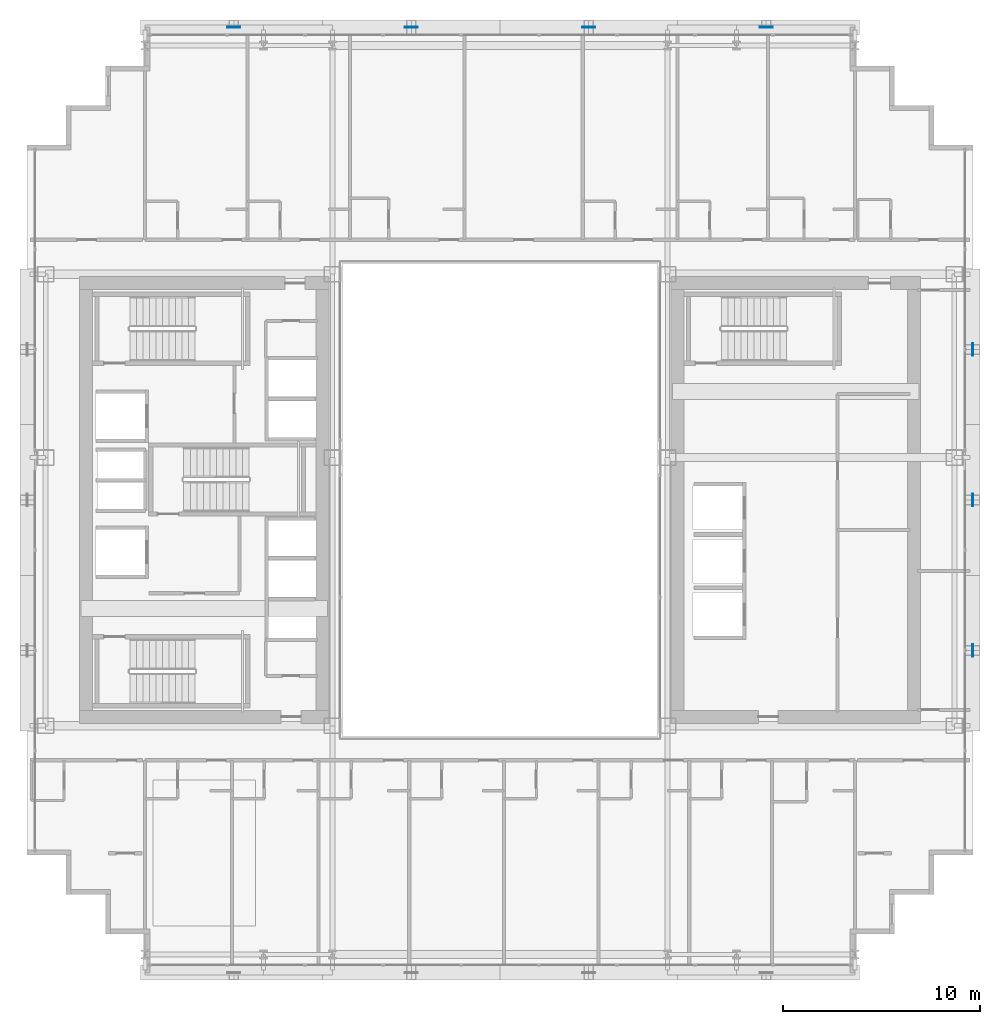
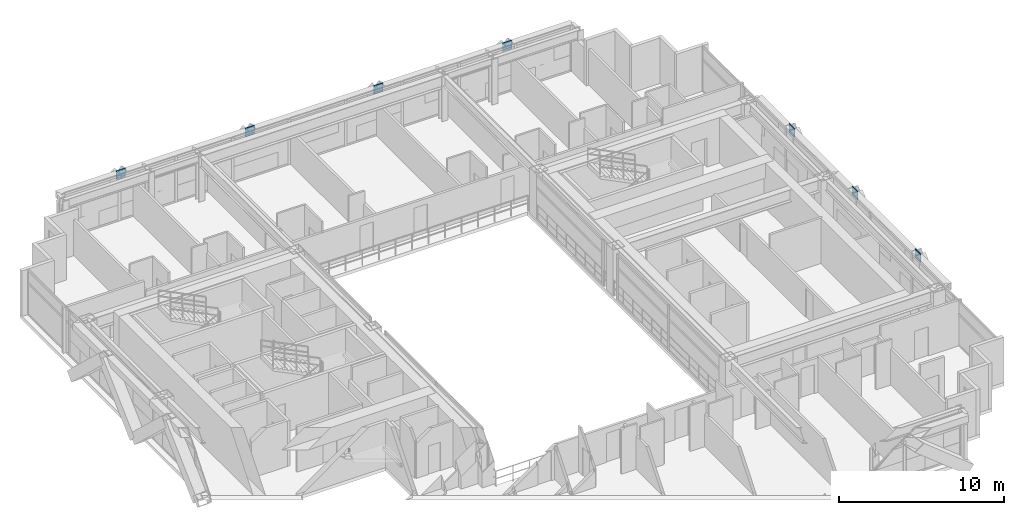
# One storey, part 30 of 39: 7 plates.
"""IFC4 building model written with IfcOpenShell, lengths in metres."""

from ifc_helpers import new_model, si_unit, direction, frame, origin, origin_2d, place, context, subcontext, project, spatial, rectangle, extrude, source, transform, mapped, material, layer, layer_set, type_object, element, save


model = new_model("IFC4")

# Units and contexts
model_context = context("Model", 3, precision=1e-05, world=origin(), true_north=direction((0.0, 1.0)))
body_context = subcontext(model_context, "Body", "Model", "MODEL_VIEW")
ifc_project = project(units=[si_unit("LENGTHUNIT", "METRE"), si_unit("AREAUNIT", "SQUARE_METRE"), si_unit("VOLUMEUNIT", "CUBIC_METRE"), si_unit("PLANEANGLEUNIT", "RADIAN"), si_unit("MASSUNIT", "GRAM", prefix="KILO")], contexts=[model_context])

# Site, building, storey
site_placement = place(None, origin())
site = spatial("IfcSite", under=ifc_project, at=site_placement, CompositionType="ELEMENT")
building_placement = place(site_placement, origin())
building = spatial("IfcBuilding", under=site, at=building_placement, Name="Ocotamira Hotel", CompositionType="ELEMENT")
storey_placement = place(building_placement, frame((0.0, 0.0, 104.39990234375)))
storey = spatial("IfcBuildingStorey", under=building, at=storey_placement, Name="L25", CompositionType="ELEMENT", Elevation=104.39990234375)

# Plates
ifc_material = material(Name="Pale-metal coated steel ASTM A572 Grade 50", Category="steel")
ifc_layer = layer(ifc_material, 0.0400390625)
ifc_layer_set = layer_set([ifc_layer], Name="Pale-metal coated steel ASTM A572 Grade 50")
plate_type = type_object("IfcPlateType", Name="PLT-GUSSET-40", PredefinedType="SHEET", material=ifc_layer_set)
shared_shape_1 = source(origin(), body_context, "Body", "SweptSolid", [
    extrude(rectangle(XDim=0.64990234375, YDim=0.0400390625, at=origin_2d()), origin(), (0.0, 0.0, 1.0), 0.64990234375),
])
for number, where, z_axis, x_axis, name in (
    (1, (18.5, 49.969970703125, 2.78515625), (0.0, 0.0, 1.0), (1.0, 0.0, 0.0), "L25 Exoskeleton Diagrid N0.1 End Gusset B"),
    (2, (27.5, 49.969970703125, 2.78515625), (0.0, 0.0, 1.0), (1.0, 0.0, 0.0), "L25 Exoskeleton Diagrid N1.1 End Gusset B"),
    (3, (36.5, 49.969970703125, 2.78515625), (0.0, 0.0, 1.0), (1.0, 0.0, 0.0), "L25 Exoskeleton Diagrid N2.1 End Gusset B"),
    (4, (45.5, 49.969970703125, 2.78515625), (0.0, 0.0, 1.0), (1.0, 0.0, 0.0), "L25 Exoskeleton Diagrid N3.1 End Gusset B"),
):
    element("IfcPlate", number, at=place(storey_placement, frame(where, z_axis=z_axis, x_axis=x_axis)), inside=storey, type_object=plate_type, Name=name, PredefinedType="SHEET", context=body_context, shape_type="MappedRepresentation", body=[
        mapped(shared_shape_1, transform((0.0, 0.0, 0.0), scale=1.0)),
    ])
shared_shape_2 = source(origin(), body_context, "Body", "SweptSolid", [
    extrude(rectangle(XDim=0.0400390625, YDim=0.64990234375, at=origin_2d()), origin(), (0.0, 0.0, 1.0), 0.64990234375),
])
for number, where, z_axis, x_axis, name in (
    (5, (55.969970703125, 18.36669921875, 2.78515625), (0.0, 0.0, 1.0), (1.0, 0.0, 0.0), "L25 Exoskeleton Diagrid E0.1 End Gusset B"),
    (6, (55.969970703125, 26.0, 2.78515625), (0.0, 0.0, 1.0), (1.0, 0.0, 0.0), "L25 Exoskeleton Diagrid E1.1 End Gusset B"),
    (7, (55.969970703125, 33.63330078125, 2.78515625), (0.0, 0.0, 1.0), (1.0, 0.0, 0.0), "L25 Exoskeleton Diagrid E2.1 End Gusset B"),
):
    element("IfcPlate", number, at=place(storey_placement, frame(where, z_axis=z_axis, x_axis=x_axis)), inside=storey, type_object=plate_type, Name=name, PredefinedType="SHEET", context=body_context, shape_type="MappedRepresentation", body=[
        mapped(shared_shape_2, transform((0.0, 0.0, 0.0), scale=1.0)),
    ])

save(model, "model.ifc")
